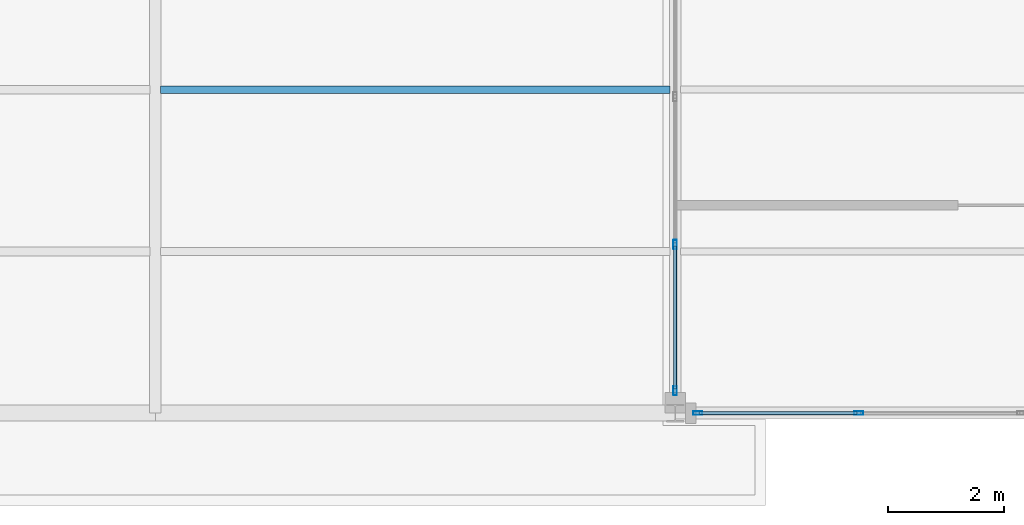
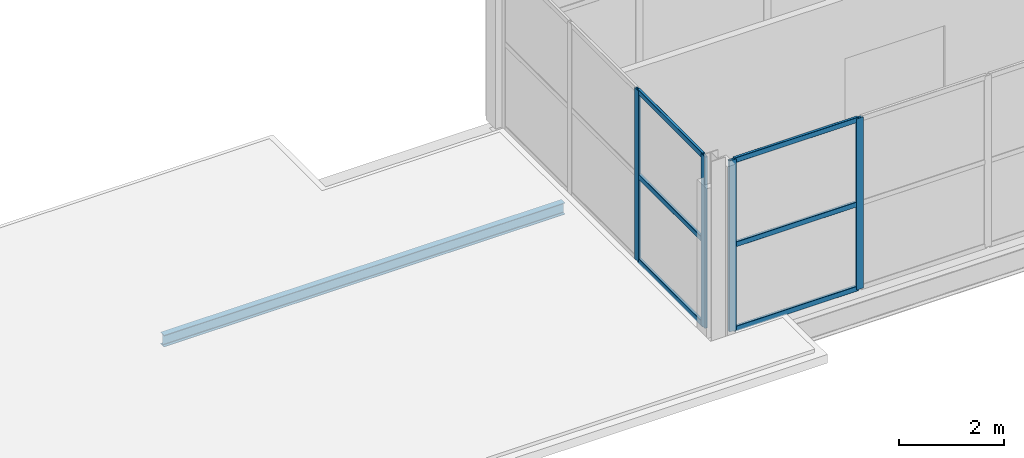
# One storey, part 62 of 93: 10 members, 1 beam, 2 elements without a shape of their own.
"""IFC4 building model written with IfcOpenShell, lengths in metres."""

from ifc_helpers import new_model, si_unit, direction, frame, origin, origin_2d, place, context, subcontext, project, spatial, hollow_rectangle, i_section, extrude, material, layer, layer_set, material_profile, profile_set, type_object, element, aggregate, save


model = new_model("IFC4")

# Units and contexts
model_context = context("Model", 3, precision=1e-05, world=origin(), true_north=direction((0.0, 1.0)))
body_context = subcontext(model_context, "Body", "Model", "MODEL_VIEW")
ifc_project = project(units=[si_unit("LENGTHUNIT", "METRE"), si_unit("AREAUNIT", "SQUARE_METRE"), si_unit("VOLUMEUNIT", "CUBIC_METRE"), si_unit("PLANEANGLEUNIT", "RADIAN"), si_unit("MASSUNIT", "GRAM", prefix="KILO")], contexts=[model_context])

# Site, building, storey
site_placement = place(None, origin())
site = spatial("IfcSite", under=ifc_project, at=site_placement, CompositionType="ELEMENT")
building_placement = place(site_placement, origin())
building = spatial("IfcBuilding", under=site, at=building_placement, Name="Vekula Escarpment Museum", CompositionType="ELEMENT")
storey_placement = place(building_placement, frame((0.0, 0.0, 22.199951171875)))
storey = spatial("IfcBuildingStorey", under=building, at=storey_placement, Name="L05", CompositionType="ELEMENT", Elevation=22.199951171875)

# Beam
ifc_material_1 = material(Name="Steel S355", Category="steel")
ifc_material_profile_1 = material_profile(ifc_material_1, i_section(OverallWidth=0.135009765625, OverallDepth=0.27001953125, WebThickness=0.006591796875, FlangeThickness=0.01025390625, FilletRadius=0.014892578125, at=origin_2d()), Name="IPE 270")
ifc_profile_set_1 = profile_set([ifc_material_profile_1], Name="Steel S355")
beam_type = type_object("IfcBeamType", Name="BM-JST-IPE270", PredefinedType="JOIST", material=ifc_profile_set_1)
beam_placement = place(storey_placement, frame((146.090087890625, 73.60009765625, -0.35498046875), z_axis=(1.0, 0.0, 0.0), x_axis=(0.0, 1.0, 0.0)))
element("IfcBeam", 1, at=beam_placement, inside=storey, type_object=beam_type, Name="Secondary Joist L05 1384", PredefinedType="JOIST", context=body_context, shape_type="SweptSolid", body=[
    extrude(i_section(OverallWidth=0.135009765625, OverallDepth=0.27001953125, WebThickness=0.006591796875, FlangeThickness=0.01025390625, FilletRadius=0.014892578125, at=origin_2d()), origin(), (0.0, 0.0, 1.0), 8.81982421875),
])

# Curtain wall, members
ifc_material_2 = material(Name="Aluminium thermally broken framing", Category="aluminium")
ifc_layer_1 = layer(ifc_material_2, 0.199951171875)
ifc_layer_set_1 = layer_set([ifc_layer_1], Name="Aluminium thermally broken framing")
curtain_wall_type_1 = type_object("IfcCurtainWallType", Name="CW-SYS-04", PredefinedType="NOTDEFINED", material=ifc_layer_set_1)
curtain_wall_1_placement = place(storey_placement, origin())
curtain_wall_1 = element("IfcCurtainWall", 2, at=curtain_wall_1_placement, inside=storey, type_object=curtain_wall_type_1, Name="Curtain Wall CW-L05-184", PredefinedType="NOTDEFINED")
ifc_material_3 = material(Name="Aluminium anodized mullion", Category="aluminium")
ifc_material_profile_2 = material_profile(ifc_material_3, hollow_rectangle(XDim=0.06005859375, YDim=0.159912109375, WallThickness=0.00390625, InnerFilletRadius=0.00390625, OuterFilletRadius=0.008056640625, at=origin_2d()), Name="ALU 160x60x4")
ifc_profile_set_2 = profile_set([ifc_material_profile_2], Name="Aluminium anodized mullion")
member_type_1 = type_object("IfcMemberType", Name="CW-MUL-160", PredefinedType="MULLION", material=ifc_profile_set_2)
member_1_placement = place(storey_placement, frame((155.0, 70.919921875, 0.0), z_axis=(0.0, 0.0, 1.0), x_axis=(1.0, 0.0, 0.0)))
member_1 = element("IfcMember", 3, at=member_1_placement, type_object=member_type_1, Name="CW-04 mullion 3", PredefinedType="MULLION", context=body_context, shape_type="SweptSolid", body=[
    extrude(hollow_rectangle(XDim=0.06005859375, YDim=0.159912109375, WallThickness=0.00390625, InnerFilletRadius=0.00390625, OuterFilletRadius=0.008056640625, at=origin_2d()), origin(), (0.0, 0.0, 1.0), 3.97998046875),
])
member_2_placement = place(storey_placement, frame((155.0, 68.389892578125, 0.0), z_axis=(0.0, 0.0, 1.0), x_axis=(1.0, 0.0, 0.0)))
member_2 = element("IfcMember", 4, at=member_2_placement, type_object=member_type_1, Name="CW-04 mullion 4", PredefinedType="MULLION", context=body_context, shape_type="SweptSolid", body=[
    extrude(hollow_rectangle(XDim=0.06005859375, YDim=0.159912109375, WallThickness=0.00390625, InnerFilletRadius=0.00390625, OuterFilletRadius=0.008056640625, at=origin_2d()), origin(), (0.0, 0.0, 1.0), 3.97998046875),
])

ifc_material_4 = material(Name="Aluminium thermally broken framing", Category="aluminium")
ifc_layer_2 = layer(ifc_material_4, 0.159912109375)
ifc_layer_set_2 = layer_set([ifc_layer_2], Name="Aluminium thermally broken framing")
curtain_wall_type_2 = type_object("IfcCurtainWallType", Name="CW-SYS-05", PredefinedType="NOTDEFINED", material=ifc_layer_set_2)
curtain_wall_2_placement = place(storey_placement, origin())
curtain_wall_2 = element("IfcCurtainWall", 5, at=curtain_wall_2_placement, inside=storey, type_object=curtain_wall_type_2, Name="Curtain Wall CW-L05-185", PredefinedType="NOTDEFINED")
member_3_placement = place(storey_placement, frame((155.389892578125, 68.0, 0.0), z_axis=(0.0, 0.0, 1.0), x_axis=(0.0, 1.0, 0.0)))
member_3 = element("IfcMember", 6, at=member_3_placement, type_object=member_type_1, Name="CW-05 mullion 1", PredefinedType="MULLION", context=body_context, shape_type="SweptSolid", body=[
    extrude(hollow_rectangle(XDim=0.06005859375, YDim=0.159912109375, WallThickness=0.00390625, InnerFilletRadius=0.00390625, OuterFilletRadius=0.008056640625, at=origin_2d()), origin(), (0.0, 0.0, 1.0), 3.97998046875),
])
member_4_placement = place(storey_placement, frame((158.179931640625, 68.0, 0.0), z_axis=(0.0, 0.0, 1.0), x_axis=(0.0, 1.0, 0.0)))
member_4 = element("IfcMember", 7, at=member_4_placement, type_object=member_type_1, Name="CW-05 mullion 2", PredefinedType="MULLION", context=body_context, shape_type="SweptSolid", body=[
    extrude(hollow_rectangle(XDim=0.06005859375, YDim=0.159912109375, WallThickness=0.00390625, InnerFilletRadius=0.00390625, OuterFilletRadius=0.008056640625, at=origin_2d()), origin(), (0.0, 0.0, 1.0), 3.97998046875),
])

# Member
ifc_material_5 = material(Name="Aluminium anodized transom", Category="aluminium")
ifc_material_profile_3 = material_profile(ifc_material_5, hollow_rectangle(XDim=0.06005859375, YDim=0.1201171875, WallThickness=0.00390625, InnerFilletRadius=0.00390625, OuterFilletRadius=0.008056640625, at=origin_2d()), Name="ALU 120x60x4")
ifc_profile_set_3 = profile_set([ifc_material_profile_3], Name="Aluminium anodized transom")
member_type_2 = type_object("IfcMemberType", Name="CW-TRN-120", PredefinedType="USERDEFINED", material=ifc_profile_set_3)
member_5_placement = place(storey_placement, frame((155.0, 70.889892578125, 0.030029296875), z_axis=(0.0, -1.0, 0.0), x_axis=(1.0, 0.0, 0.0)))
member_5 = element("IfcMember", 8, at=member_5_placement, type_object=member_type_2, Name="CW-04 transom 3.1", ObjectType="TRANSOM", PredefinedType="USERDEFINED", context=body_context, shape_type="SweptSolid", body=[
    extrude(hollow_rectangle(XDim=0.06005859375, YDim=0.1201171875, WallThickness=0.00390625, InnerFilletRadius=0.00390625, OuterFilletRadius=0.008056640625, at=origin_2d()), origin(), (0.0, 0.0, 1.0), 2.469970703125),
])

member_6_placement = place(storey_placement, frame((155.0, 70.889892578125, 1.989990234375), z_axis=(0.0, -1.0, 0.0), x_axis=(1.0, 0.0, 0.0)))
member_6 = element("IfcMember", 9, at=member_6_placement, type_object=member_type_2, Name="CW-04 transom 3.2", ObjectType="TRANSOM", PredefinedType="USERDEFINED", context=body_context, shape_type="SweptSolid", body=[
    extrude(hollow_rectangle(XDim=0.06005859375, YDim=0.1201171875, WallThickness=0.00390625, InnerFilletRadius=0.00390625, OuterFilletRadius=0.008056640625, at=origin_2d()), origin(), (0.0, 0.0, 1.0), 2.469970703125),
])

member_7_placement = place(storey_placement, frame((155.0, 70.889892578125, 3.949951171875), z_axis=(0.0, -1.0, 0.0), x_axis=(1.0, 0.0, 0.0)))
member_7 = element("IfcMember", 10, at=member_7_placement, type_object=member_type_2, Name="CW-04 transom 3.3", ObjectType="TRANSOM", PredefinedType="USERDEFINED", context=body_context, shape_type="SweptSolid", body=[
    extrude(hollow_rectangle(XDim=0.06005859375, YDim=0.1201171875, WallThickness=0.00390625, InnerFilletRadius=0.00390625, OuterFilletRadius=0.008056640625, at=origin_2d()), origin(), (0.0, 0.0, 1.0), 2.469970703125),
])

aggregate(curtain_wall_1, [member_1, member_2, member_5, member_6, member_7])

member_8_placement = place(storey_placement, frame((155.419921875, 68.0, 0.030029296875), z_axis=(1.0, 0.0, 0.0), x_axis=(0.0, 1.0, 0.0)))
member_8 = element("IfcMember", 11, at=member_8_placement, type_object=member_type_2, Name="CW-05 transom 1.1", ObjectType="TRANSOM", PredefinedType="USERDEFINED", context=body_context, shape_type="SweptSolid", body=[
    extrude(hollow_rectangle(XDim=0.06005859375, YDim=0.1201171875, WallThickness=0.00390625, InnerFilletRadius=0.00390625, OuterFilletRadius=0.008056640625, at=origin_2d()), origin(), (0.0, 0.0, 1.0), 2.72998046875),
])

member_9_placement = place(storey_placement, frame((155.419921875, 68.0, 1.989990234375), z_axis=(1.0, 0.0, 0.0), x_axis=(0.0, 1.0, 0.0)))
member_9 = element("IfcMember", 12, at=member_9_placement, type_object=member_type_2, Name="CW-05 transom 1.2", ObjectType="TRANSOM", PredefinedType="USERDEFINED", context=body_context, shape_type="SweptSolid", body=[
    extrude(hollow_rectangle(XDim=0.06005859375, YDim=0.1201171875, WallThickness=0.00390625, InnerFilletRadius=0.00390625, OuterFilletRadius=0.008056640625, at=origin_2d()), origin(), (0.0, 0.0, 1.0), 2.72998046875),
])

member_10_placement = place(storey_placement, frame((155.419921875, 68.0, 3.949951171875), z_axis=(1.0, 0.0, 0.0), x_axis=(0.0, 1.0, 0.0)))
member_10 = element("IfcMember", 13, at=member_10_placement, type_object=member_type_2, Name="CW-05 transom 1.3", ObjectType="TRANSOM", PredefinedType="USERDEFINED", context=body_context, shape_type="SweptSolid", body=[
    extrude(hollow_rectangle(XDim=0.06005859375, YDim=0.1201171875, WallThickness=0.00390625, InnerFilletRadius=0.00390625, OuterFilletRadius=0.008056640625, at=origin_2d()), origin(), (0.0, 0.0, 1.0), 2.72998046875),
])

aggregate(curtain_wall_2, [member_3, member_4, member_8, member_9, member_10])

save(model, "model.ifc")
